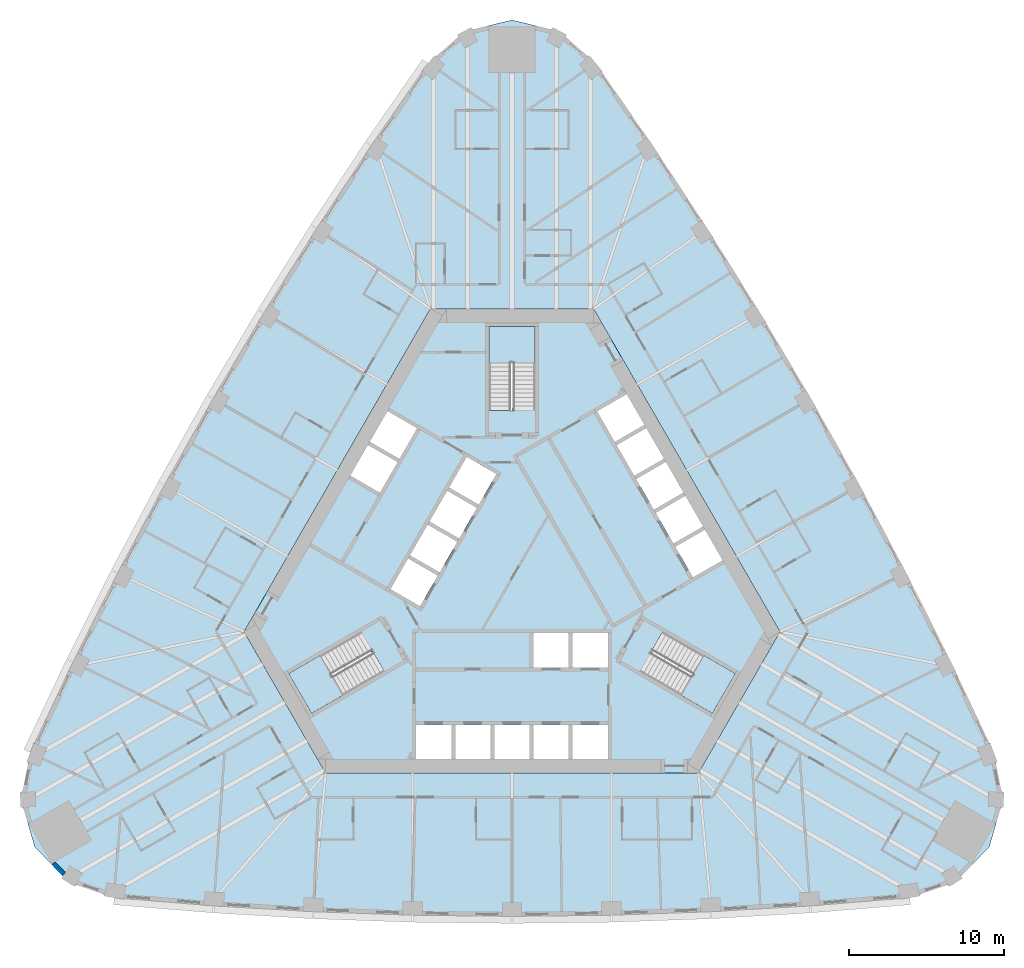
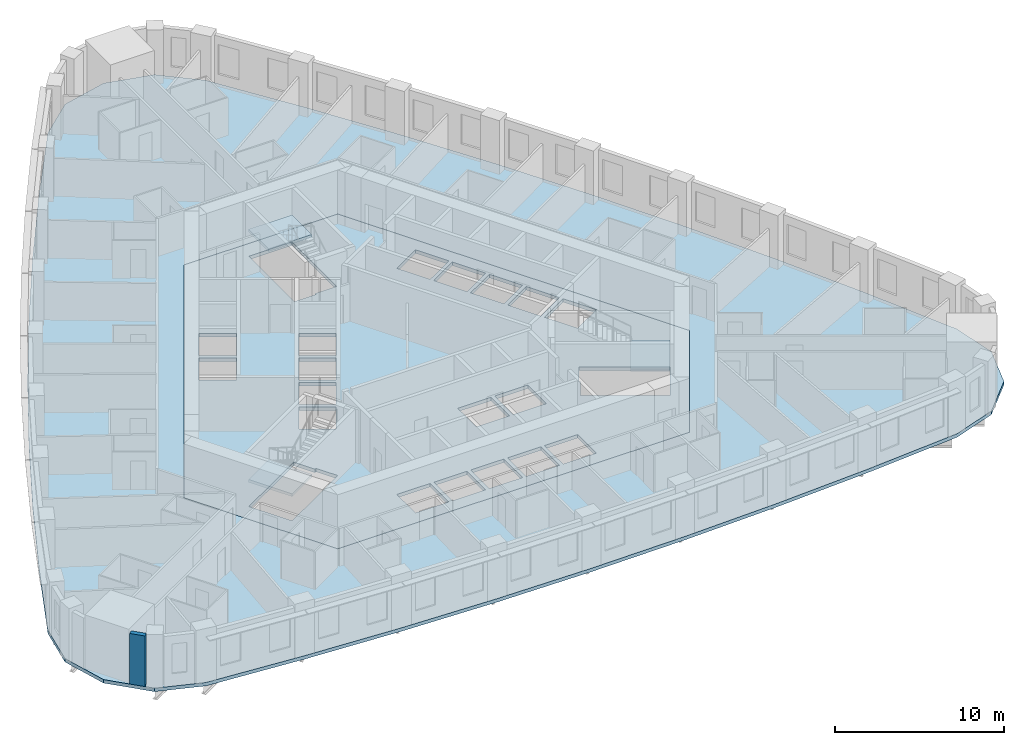
# One storey, part 2 of 13: 5 slabs, 1 wall, 3 elements without a shape of their own.
"""IFC4 building model written with IfcOpenShell, lengths in metres."""

from ifc_helpers import new_model, si_unit, direction, frame, frame_2d, origin, place, context, subcontext, project, spatial, polyline, rectangle, outline, extrude, material, layer, layer_set, type_object, element, aggregate, save


model = new_model("IFC4")

# Units and contexts
model_context = context("Model", 3, precision=1e-05, world=origin(), true_north=direction((0.0, 1.0)))
body_context = subcontext(model_context, "Body", "Model", "MODEL_VIEW")
ifc_project = project(units=[si_unit("LENGTHUNIT", "METRE"), si_unit("AREAUNIT", "SQUARE_METRE"), si_unit("VOLUMEUNIT", "CUBIC_METRE"), si_unit("PLANEANGLEUNIT", "RADIAN"), si_unit("MASSUNIT", "GRAM", prefix="KILO")], contexts=[model_context])

# Site, building, storey
site_placement = place(None, origin())
site = spatial("IfcSite", under=ifc_project, at=site_placement, CompositionType="ELEMENT")
building_placement = place(site_placement, origin())
building = spatial("IfcBuilding", under=site, at=building_placement, Name="Mestral Congress Tower", CompositionType="ELEMENT")
storey_placement = place(building_placement, frame((0.0, 0.0, 83.699951171875)))
storey = spatial("IfcBuildingStorey", under=building, at=storey_placement, Name="L19", CompositionType="ELEMENT", Elevation=83.699951171875)

# Slabs
ifc_material_1 = material(Name="Concrete C35/45", Category="concrete")
ifc_layer_1 = layer(ifc_material_1, 0.25)
ifc_layer_set_1 = layer_set([ifc_layer_1], Name="Concrete C35/45")
slab_type_1 = type_object("IfcSlabType", Name="Composite floor slab 250", PredefinedType="FLOOR", material=ifc_layer_set_1)
placement_1 = place(storey_placement, frame((0.0, 0.0, -0.25)))
element("IfcSlab", 1, at=placement_1, inside=storey, type_object=slab_type_1, Name="SL-L19", PredefinedType="FLOOR", context=body_context, shape_type="SweptSolid", body=[
    extrude(outline(polyline([(-25.656005859375, -21.041015625), (-28.581298828125, -20.03271484375), (-30.75390625, -17.755859375), (-31.639404296875, -14.73583984375), (-31.050048828125, -11.697998046875), (-28.28759765625, -5.856689453125), (-25.412109375, -0.12744140625), (-22.403564453125, 5.533203125), (-19.263671875, 11.121826171875), (-15.99365234375, 16.635498046875), (-12.595703125, 22.0712890625), (-9.07177734375, 27.426025390625), (-5.39404296875, 32.739013671875), (-3.05810546875, 34.768310546875), (0.0, 35.51171875), (3.05810546875, 34.768310546875), (5.39404296875, 32.739013671875), (9.07177734375, 27.426025390625), (12.595703125, 22.0712890625), (15.99365234375, 16.635498046875), (19.263671875, 11.121826171875), (22.403564453125, 5.533203125), (25.412109375, -0.12744140625), (28.28759765625, -5.856689453125), (31.050048828125, -11.697998046875), (31.639404296875, -14.73583984375), (30.75390625, -17.755859375), (28.581298828125, -20.03271484375), (25.656005859375, -21.041015625), (19.2158203125, -21.5693359375), (12.81640625, -21.94384765625), (6.409912109375, -22.168701171875), (0.0, -22.24365234375), (-6.409912109375, -22.168701171875), (-12.81640625, -21.94384765625), (-19.2158203125, -21.5693359375), (-25.656005859375, -21.041015625)]), holes=[polyline([(-5.25390625, 16.89990234375), (-17.2626953125, -3.89990234375), (-12.0087890625, -13.0), (12.0087890625, -13.0), (17.2626953125, -3.89990234375), (5.25390625, 16.89990234375), (-5.25390625, 16.89990234375)])]), origin(), (0.0, 0.0, 1.0), 0.25),
])
ifc_material_2 = material(Name="Concrete C60/75", Category="concrete")
ifc_layer_2 = layer(ifc_material_2, 0.25)
ifc_layer_set_2 = layer_set([ifc_layer_2], Name="Concrete C60/75")
slab_type_2 = type_object("IfcSlabType", Name="Core floor slab RC 250", PredefinedType="FLOOR", material=ifc_layer_set_2)
element("IfcSlab", 2, at=placement_1, inside=storey, type_object=slab_type_2, Name="L19 core floor", PredefinedType="FLOOR", context=body_context, shape_type="SweptSolid", body=[
    extrude(outline(polyline([(12.0087890625, -13.0), (-12.0087890625, -13.0), (-17.2626953125, -3.89990234375), (-5.25390625, 16.89990234375), (5.25390625, 16.89990234375), (17.2626953125, -3.89990234375), (12.0087890625, -13.0)]), holes=[polyline([(-3.905029296875, -9.89990234375), (-6.175048828125, -9.89990234375), (-6.175048828125, -12.10009765625), (-3.905029296875, -12.10009765625), (-3.905029296875, -9.89990234375)]), polyline([(-1.385009765625, -9.89990234375), (-3.655029296875, -9.89990234375), (-3.655029296875, -12.10009765625), (-1.385009765625, -12.10009765625), (-1.385009765625, -9.89990234375)]), polyline([(1.135009765625, -9.89990234375), (-1.135009765625, -9.89990234375), (-1.135009765625, -12.10009765625), (1.135009765625, -12.10009765625), (1.135009765625, -9.89990234375)]), polyline([(-9.0673828125, -5.235107421875), (-9.8046875, -3.95751953125), (-14.37744140625, -6.59765625), (-12.90234375, -9.15234375), (-8.234619140625, -6.45751953125), (-8.971923828125, -5.179931640625), (-9.0673828125, -5.235107421875)]), polyline([(-7.826904296875, -1.156494140625), (-5.921630859375, -2.256591796875), (-4.78662109375, -0.29052734375), (-6.69189453125, 0.809326171875), (-7.826904296875, -1.156494140625)]), polyline([(-4.66162109375, -0.07421875), (-3.526611328125, 1.8916015625), (-5.431884765625, 2.99169921875), (-6.56689453125, 1.02587890625), (-4.66162109375, -0.07421875)]), polyline([(-3.401611328125, 2.1083984375), (-2.2666015625, 4.07421875), (-4.171875, 5.174072265625), (-5.306884765625, 3.208251953125), (-3.401611328125, 2.1083984375)]), polyline([(-2.1416015625, 4.29052734375), (-1.006591796875, 6.256591796875), (-2.911865234375, 7.3564453125), (-4.046875, 5.390625), (-2.1416015625, 4.29052734375)]), polyline([(-10.41650390625, 6.158203125), (-8.51123046875, 5.058349609375), (-7.376220703125, 7.024169921875), (-9.281494140625, 8.1240234375), (-10.41650390625, 6.158203125)]), polyline([(-9.156494140625, 8.340576171875), (-7.251220703125, 7.240478515625), (-6.1162109375, 9.20654296875), (-8.021484375, 10.306396484375), (-9.156494140625, 8.340576171875)]), polyline([(1.47509765625, 10.469970703125), (1.47509765625, 15.75), (-1.47509765625, 15.75), (-1.47509765625, 10.360107421875), (0.0, 10.360107421875), (0.0, 10.469970703125), (1.47509765625, 10.469970703125)]), polyline([(3.655029296875, -9.89990234375), (1.385009765625, -9.89990234375), (1.385009765625, -12.10009765625), (3.655029296875, -12.10009765625), (3.655029296875, -9.89990234375)]), polyline([(6.175048828125, -9.89990234375), (3.905029296875, -9.89990234375), (3.905029296875, -12.10009765625), (6.175048828125, -12.10009765625), (6.175048828125, -9.89990234375)]), polyline([(9.0673828125, -5.235107421875), (8.329833984375, -6.512451171875), (12.90234375, -9.15234375), (14.37744140625, -6.59765625), (9.70947265625, -3.902587890625), (8.971923828125, -5.179931640625), (9.0673828125, -5.235107421875)]), polyline([(3.655029296875, -6.199951171875), (3.655029296875, -4.0), (1.385009765625, -4.0), (1.385009765625, -6.199951171875), (3.655029296875, -6.199951171875)]), polyline([(6.175048828125, -4.0), (3.905029296875, -4.0), (3.905029296875, -6.199951171875), (6.175048828125, -6.199951171875), (6.175048828125, -4.0)]), polyline([(12.431396484375, 2.668212890625), (10.526123046875, 1.568115234375), (11.6611328125, -0.397705078125), (13.56640625, 0.702392578125), (12.431396484375, 2.668212890625)]), polyline([(11.17138671875, 4.8505859375), (9.26611328125, 3.75048828125), (10.401123046875, 1.78466796875), (12.306396484375, 2.884765625), (11.17138671875, 4.8505859375)]), polyline([(8.006103515625, 5.932861328125), (9.14111328125, 3.967041015625), (11.04638671875, 5.067138671875), (9.911376953125, 7.032958984375), (8.006103515625, 5.932861328125)]), polyline([(8.6513671875, 9.21533203125), (6.74609375, 8.115234375), (7.881103515625, 6.1494140625), (9.786376953125, 7.24951171875), (8.6513671875, 9.21533203125)]), polyline([(7.391357421875, 11.397705078125), (5.486083984375, 10.297607421875), (6.62109375, 8.331787109375), (8.5263671875, 9.431884765625), (7.391357421875, 11.397705078125)])]), origin(), (0.0, 0.0, 1.0), 0.25),
])

# Stair, slab
stair_type = type_object("IfcStairType", Name="Exit stair 1400", PredefinedType="HALF_TURN_STAIR", material=ifc_material_2)
placement_2 = place(storey_placement, origin())
stair_1 = element("IfcStair", 3, at=placement_2, inside=storey, type_object=stair_type, Name="L19 ST1", PredefinedType="HALF_TURN_STAIR")
ifc_layer_3 = layer(ifc_material_2, 0.199951171875)
ifc_layer_set_3 = layer_set([ifc_layer_3], Name="Concrete C60/75")
slab_type_3 = type_object("IfcSlabType", Name="Exit stair landing 200", PredefinedType="LANDING", material=ifc_layer_set_3)
placement_3 = place(storey_placement, frame((0.0, 0.0, 1.75)))
slab_3 = element("IfcSlab", 4, at=placement_3, type_object=slab_type_3, Name="ST1 landing 1", PredefinedType="LANDING", context=body_context, shape_type="SweptSolid", body=[
    extrude(outline(polyline([(10.879638671875, -7.99609375), (12.364501953125, -5.424072265625), (14.39111328125, -6.593994140625), (12.906005859375, -9.166015625), (10.879638671875, -7.99609375)])), origin(), (0.0, 0.0, 1.0), 0.199951171875),
])
aggregate(stair_1, [slab_3])

stair_2 = element("IfcStair", 5, at=placement_2, inside=storey, type_object=stair_type, Name="L19 ST2", PredefinedType="HALF_TURN_STAIR")
slab_4 = element("IfcSlab", 6, at=placement_3, type_object=slab_type_3, Name="ST2 landing 1", PredefinedType="LANDING", context=body_context, shape_type="SweptSolid", body=[
    extrude(outline(polyline([(1.485107421875, 13.419921875), (-1.485107421875, 13.419921875), (-1.485107421875, 15.760009765625), (1.485107421875, 15.760009765625), (1.485107421875, 13.419921875)])), origin(), (0.0, 0.0, 1.0), 0.199951171875),
])
aggregate(stair_2, [slab_4])

stair_3 = element("IfcStair", 7, at=placement_2, inside=storey, type_object=stair_type, Name="L19 ST3", PredefinedType="HALF_TURN_STAIR")
slab_5 = element("IfcSlab", 8, at=placement_3, type_object=slab_type_3, Name="ST3 landing 1", PredefinedType="LANDING", context=body_context, shape_type="SweptSolid", body=[
    extrude(outline(polyline([(-12.364501953125, -5.424072265625), (-10.879638671875, -7.99609375), (-12.906005859375, -9.166015625), (-14.39111328125, -6.593994140625), (-12.364501953125, -5.424072265625)])), origin(), (0.0, 0.0, 1.0), 0.199951171875),
])
aggregate(stair_3, [slab_5])

# Wall
ifc_material_3 = material(Name="Precast concrete C40/50 with limestone facing", Category="masonry")
ifc_layer_4 = layer(ifc_material_3, 0.2900390625)
ifc_layer_set_4 = layer_set([ifc_layer_4], Name="Precast concrete C40/50 with limestone facing")
wall_type = type_object("IfcWallType", Name="Facade stone wall 290", PredefinedType="SOLIDWALL", material=ifc_layer_set_4)
wall_placement = place(storey_placement, frame((-29.5341796875, -18.82421875, 0.0), z_axis=(0.0, 0.0, 1.0), x_axis=(0.690414427296, -0.723414071319, 0.0)))
element("IfcWall", 9, at=wall_placement, inside=storey, type_object=wall_type, Name="Facade wall K2-2", PredefinedType="SOLIDWALL", context=body_context, shape_type="SweptSolid", body=[
    extrude(rectangle(XDim=0.947021484375, YDim=0.2900390625, at=frame_2d((0.4736328125, 0.0))), origin(), (0.0, 0.0, 1.0), 3.650146484375),
])

save(model, "model.ifc")
